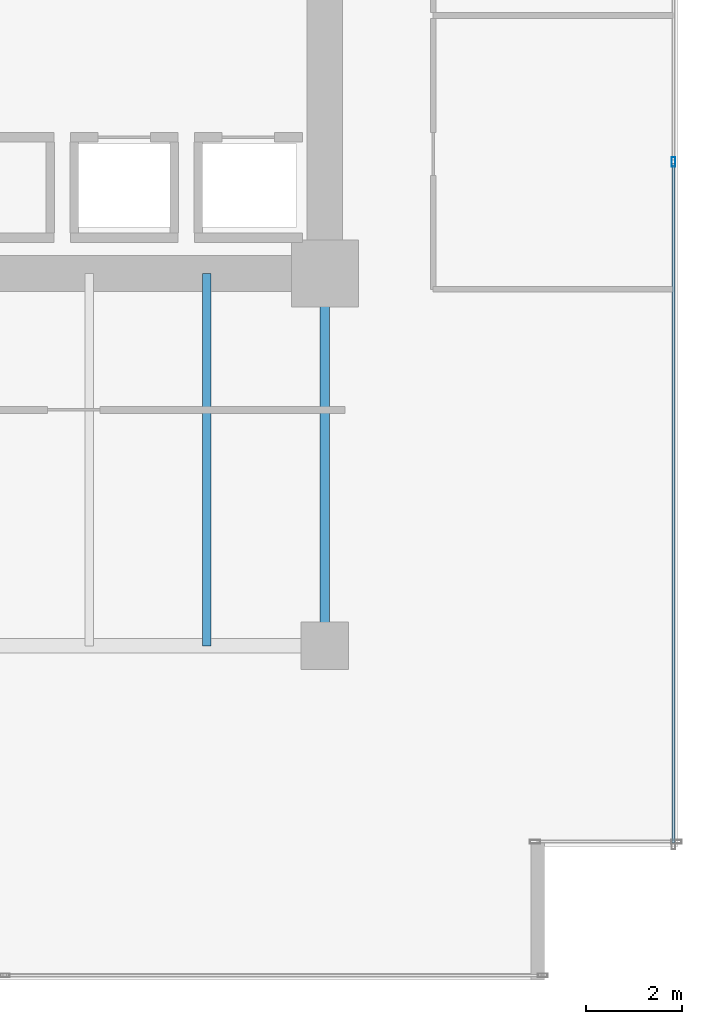
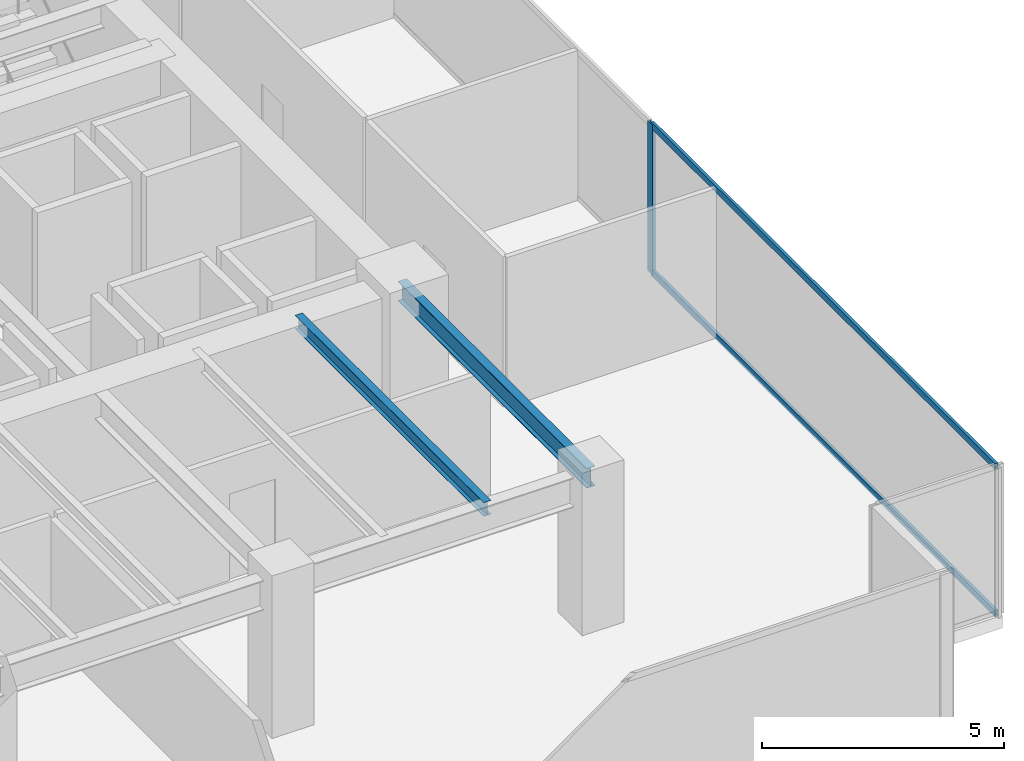
# One storey, part 24 of 35: 3 members, 2 beams, 1 element without a shape of its own.
"""IFC4 building model written with IfcOpenShell, lengths in metres."""

from ifc_helpers import new_model, si_unit, direction, frame, origin, origin_2d, place, context, subcontext, project, spatial, hollow_rectangle, i_section, extrude, source, transform, mapped, material, layer, layer_set, material_profile, profile_set, type_object, type_shapes, element, aggregate, save


model = new_model("IFC4")

# Units and contexts
model_context = context("Model", 3, precision=1e-05, world=origin(), true_north=direction((0.0, 1.0)))
body_context = subcontext(model_context, "Body", "Model", "MODEL_VIEW")
ifc_project = project(units=[si_unit("LENGTHUNIT", "METRE"), si_unit("AREAUNIT", "SQUARE_METRE"), si_unit("VOLUMEUNIT", "CUBIC_METRE"), si_unit("PLANEANGLEUNIT", "RADIAN"), si_unit("MASSUNIT", "GRAM", prefix="KILO")], contexts=[model_context])

# Site, building, storey
site_placement = place(None, origin())
site = spatial("IfcSite", under=ifc_project, at=site_placement, CompositionType="ELEMENT")
building_placement = place(site_placement, origin())
building = spatial("IfcBuilding", under=site, at=building_placement, Name="Haelvirn Gate Laboratories", CompositionType="ELEMENT")
storey_placement = place(building_placement, frame((0.0, 0.0, 82.60009765625)))
storey = spatial("IfcBuildingStorey", under=building, at=storey_placement, Name="L20", CompositionType="ELEMENT", Elevation=82.60009765625)

# Beams
ifc_material_1 = material(Name="Steel SM355", Category="steel")
ifc_material_profile_1 = material_profile(ifc_material_1, i_section(OverallWidth=0.199951171875, OverallDepth=0.5, WebThickness=0.010009765625, FlangeThickness=0.01611328125, at=origin_2d()), Name="H-500x200x10x16")
ifc_profile_set_1 = profile_set([ifc_material_profile_1], Name="Steel SM355")
beam_type_1 = type_object("IfcBeamType", Name="BM-SP-500", PredefinedType="SPANDREL", material=ifc_profile_set_1)
shared_shape_1 = source(origin(), body_context, "Body", "SweptSolid", [
    extrude(i_section(OverallWidth=0.199951171875, OverallDepth=0.5, WebThickness=0.010009765625, FlangeThickness=0.01611328125, at=origin_2d()), origin(), (0.0, 0.0, 1.0), 7.800048828125),
])
type_shapes(beam_type_1, [shared_shape_1])
beam_1_placement = place(storey_placement, frame((67.39990234375, 7.0, 3.52978515625), z_axis=(0.0, 1.0, 0.0), x_axis=(-1.0, 0.0, 0.0)))
element("IfcBeam", 1, at=beam_1_placement, inside=storey, type_object=beam_type_1, Name="L20 Perimeter Spandrel X67.4 (7.0-14.8)", PredefinedType="SPANDREL", context=body_context, shape_type="MappedRepresentation", body=[
    mapped(shared_shape_1, transform((0.0, 0.0, 0.0), scale=1.0)),
])
ifc_material_profile_2 = material_profile(ifc_material_1, i_section(OverallWidth=0.175048828125, OverallDepth=0.35009765625, WebThickness=0.007080078125, FlangeThickness=0.010986328125, at=origin_2d()), Name="H-350x175x7x11")
ifc_profile_set_2 = profile_set([ifc_material_profile_2], Name="Steel SM355")
beam_type_2 = type_object("IfcBeamType", Name="BM-J-350", PredefinedType="JOIST", material=ifc_profile_set_2)
shared_shape_2 = source(origin(), body_context, "Body", "SweptSolid", [
    extrude(i_section(OverallWidth=0.175048828125, OverallDepth=0.35009765625, WebThickness=0.007080078125, FlangeThickness=0.010986328125, at=origin_2d()), origin(), (0.0, 0.0, 1.0), 7.800048828125),
])
type_shapes(beam_type_2, [shared_shape_2])
beam_2_placement = place(storey_placement, frame((64.929931640625, 7.0, 3.60498046875), z_axis=(0.0, 1.0, 0.0), x_axis=(-1.0, 0.0, 0.0)))
element("IfcBeam", 2, at=beam_2_placement, inside=storey, type_object=beam_type_2, Name="L20 Composite Lab Joist South X64.93", PredefinedType="JOIST", context=body_context, shape_type="MappedRepresentation", body=[
    mapped(shared_shape_2, transform((0.0, 0.0, 0.0), scale=1.0)),
])

# Curtain wall, members
ifc_material_2 = material(Name="Anodised bronze unitised aluminium & triple low-E glass", Category="aluminium")
ifc_layer = layer(ifc_material_2, 0.18408203125, Name="CW-SYS-2")
ifc_layer_set = layer_set([ifc_layer], Name="Anodised bronze unitised aluminium & triple low-E glass")
curtain_wall_type = type_object("IfcCurtainWallType", Name="CW-SYS-2", PredefinedType="NOTDEFINED", material=ifc_layer_set)
curtain_wall_placement = place(storey_placement, origin())
curtain_wall = element("IfcCurtainWall", 3, at=curtain_wall_placement, inside=storey, type_object=curtain_wall_type, Name="L20 Unitised Curtain Wall CW-L20-P0-E07", PredefinedType="NOTDEFINED")
ifc_material_3 = material(Name="Extruded aluminium 6063-T6 (anodised bronze)", Category="aluminium")
ifc_material_profile_3 = material_profile(ifc_material_3, hollow_rectangle(XDim=0.070068359375, YDim=0.159912109375, WallThickness=0.0048828125, at=origin_2d()), Name="CWT-160x70x5")
ifc_profile_set_3 = profile_set([ifc_material_profile_3], Name="Extruded aluminium 6063-T6 (anodised bronze)")
member_type_1 = type_object("IfcMemberType", Name="CWT-T160", PredefinedType="USERDEFINED", material=ifc_profile_set_3)
shared_shape_3 = source(origin(), body_context, "Body", "SweptSolid", [
    extrude(hollow_rectangle(XDim=0.070068359375, YDim=0.159912109375, WallThickness=0.0048828125, at=origin_2d()), origin(), (0.0, 0.0, 1.0), 14.220947265625),
])
type_shapes(member_type_1, [shared_shape_3])
member_1_placement = place(storey_placement, frame((74.699951171875, 2.875, 0.034912109375), z_axis=(0.0, 1.0, 0.0), x_axis=(-1.0, 0.0, 0.0)))
member_1 = element("IfcMember", 4, at=member_1_placement, type_object=member_type_1, Name="CW2 transom 1.1", ObjectType="TRANSOM", PredefinedType="USERDEFINED", context=body_context, shape_type="MappedRepresentation", body=[
    mapped(shared_shape_3, transform((0.0, 0.0, 0.0), scale=1.0)),
])
member_2_placement = place(storey_placement, frame((74.699951171875, 2.875, 3.744873046875), z_axis=(0.0, 1.0, 0.0), x_axis=(-1.0, 0.0, 0.0)))
member_2 = element("IfcMember", 5, at=member_2_placement, type_object=member_type_1, Name="CW2 transom 1.2", ObjectType="TRANSOM", PredefinedType="USERDEFINED", context=body_context, shape_type="MappedRepresentation", body=[
    mapped(shared_shape_3, transform((0.0, 0.0, 0.0), scale=1.0)),
])
ifc_material_profile_4 = material_profile(ifc_material_3, hollow_rectangle(XDim=0.074951171875, YDim=0.199951171875, WallThickness=0.0048828125, at=origin_2d()), Name="CWM-200x75x5")
ifc_profile_set_4 = profile_set([ifc_material_profile_4], Name="Extruded aluminium 6063-T6 (anodised bronze)")
member_type_2 = type_object("IfcMemberType", Name="CWM-T200", PredefinedType="MULLION", material=ifc_profile_set_4)
shared_shape_4 = source(origin(), body_context, "Body", "SweptSolid", [
    extrude(hollow_rectangle(XDim=0.074951171875, YDim=0.199951171875, WallThickness=0.0048828125, at=origin_2d()), origin(), (0.0, 0.0, 1.0), 3.77978515625),
])
type_shapes(member_type_2, [shared_shape_4])
member_3_placement = place(storey_placement, frame((74.699951171875, 17.13330078125, 0.0), z_axis=(0.0, 0.0, 1.0), x_axis=(-1.0, 0.0, 0.0)))
member_3 = element("IfcMember", 6, at=member_3_placement, type_object=member_type_2, Name="CW2 mullion 2", PredefinedType="MULLION", context=body_context, shape_type="MappedRepresentation", body=[
    mapped(shared_shape_4, transform((0.0, 0.0, 0.0), scale=1.0)),
])
aggregate(curtain_wall, [member_3, member_1, member_2])

save(model, "model.ifc")
